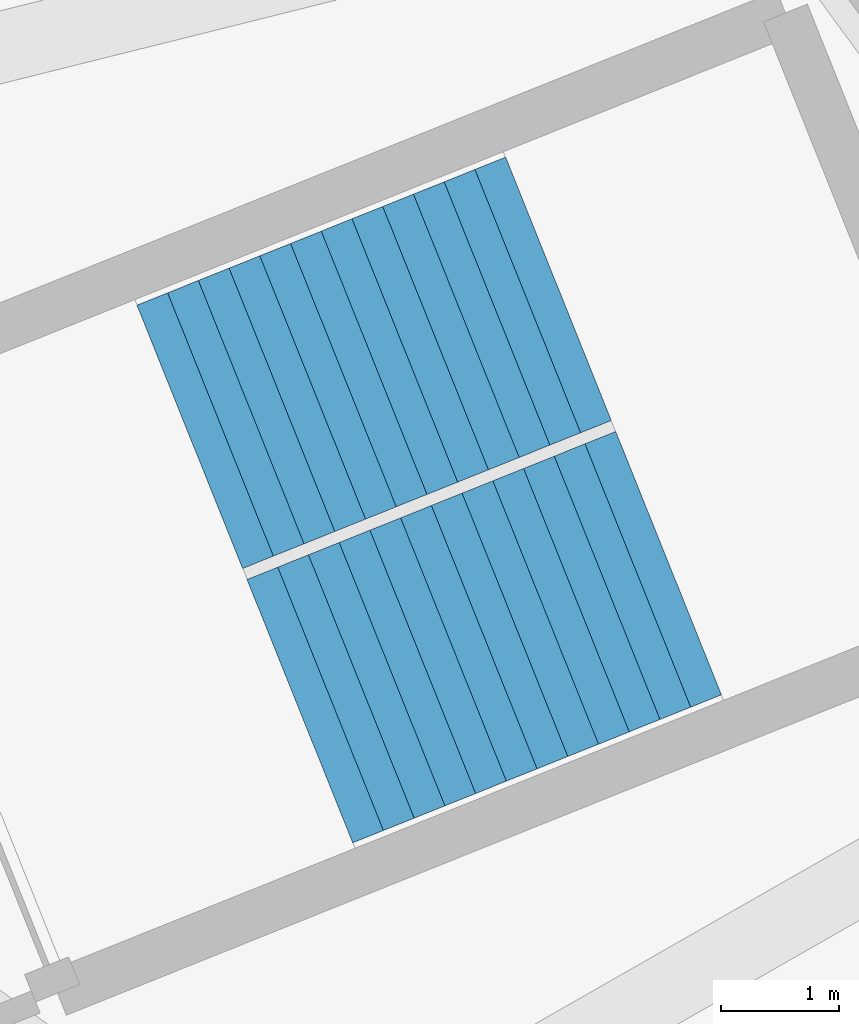
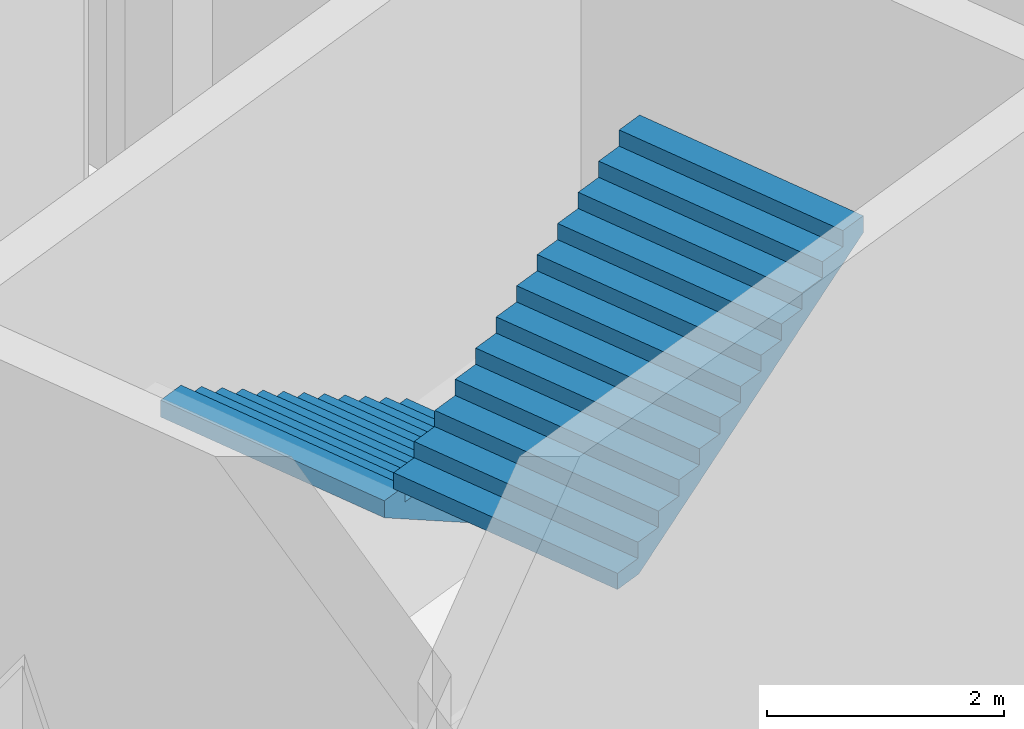
# One storey, part 25 of 47: 2 stair flights, 1 element without a shape of its own.
"""IFC4 building model written with IfcOpenShell, lengths in metres."""

from ifc_helpers import new_model, si_unit, direction, frame, origin, place, context, subcontext, project, spatial, triangles, material, type_object, element, aggregate, save


model = new_model("IFC4")

# Units and contexts
model_context = context("Model", 3, precision=1e-05, world=origin(), true_north=direction((0.0, 1.0)))
body_context = subcontext(model_context, "Body", "Model", "MODEL_VIEW")
ifc_project = project(units=[si_unit("LENGTHUNIT", "METRE"), si_unit("AREAUNIT", "SQUARE_METRE"), si_unit("VOLUMEUNIT", "CUBIC_METRE"), si_unit("PLANEANGLEUNIT", "RADIAN"), si_unit("MASSUNIT", "GRAM", prefix="KILO")], contexts=[model_context])

# Site, building, storey
site_placement = place(None, origin())
site = spatial("IfcSite", under=ifc_project, at=site_placement, CompositionType="ELEMENT")
building_placement = place(site_placement, origin())
building = spatial("IfcBuilding", under=site, at=building_placement, Name="Lantaw Convention Tower", CompositionType="ELEMENT")
storey_placement = place(building_placement, origin())
storey = spatial("IfcBuildingStorey", under=building, at=storey_placement, Name="L00", CompositionType="ELEMENT", Elevation=0.0)

# Stair, stair flights
ifc_material = material(Name="Concrete C35/45", Category="concrete")
stair_type = type_object("IfcStairType", Name="Exit stair 2400 riser 166.67 in 3 flights", PredefinedType="HALF_TURN_STAIR", material=ifc_material)
stair_placement = place(storey_placement, origin())
stair = element("IfcStair", 1, at=stair_placement, inside=storey, type_object=stair_type, Name="Podium exit stair P11 L00", PredefinedType="HALF_TURN_STAIR")
stair_flight_type = type_object("IfcStairFlightType", Name="Stair flight 2400 riser 166.67", PredefinedType="STRAIGHT", material=ifc_material)
stair_flight_1_placement = place(storey_placement, frame((-30.017578125, -10.703369140625, 2.166748046875), z_axis=(0.0, 0.0, 1.0), x_axis=(-0.928015168305, -0.372542410198, 0.0)))
stair_flight_1 = element("IfcStairFlight", 2, at=stair_flight_1_placement, type_object=stair_flight_type, Name="P11 flight 2", NumberOfRisers=13, NumberOfTreads=12, PredefinedType="STRAIGHT", RiserHeight=0.166666667, TreadLength=0.28, context=body_context, shape_type="Tessellation", body=[
    triangles([(0.0, 1.199951171875, 0.0), (0.0, 1.199951171875, 0.166666667), (0.28, 1.199951171875, 0.0), (0.28, 1.199951171875, 0.166666667), (0.28, 1.199951171875, 0.333333334), (0.29307345806906815, 1.199951171875, 0.0), (0.29307345806906815, 1.199951171875, 0.333333334), (0.56, 1.199951171875, 0.15888484670522912), (0.56, 1.199951171875, 0.333333334), (0.56, 1.199951171875, 0.500000001), (0.8400000000000001, 1.199951171875, 0.3255515137052291), (0.8400000000000001, 1.199951171875, 0.500000001), (0.8400000000000001, 1.199951171875, 0.666666668), (1.12, 1.199951171875, 0.49221818070522905), (1.12, 1.199951171875, 0.666666668), (1.12, 1.199951171875, 0.833333335), (1.4000000000000001, 1.199951171875, 0.658884847705229), (1.4000000000000001, 1.199951171875, 0.833333335), (1.4000000000000001, 1.199951171875, 1.000000002), (1.6800000000000002, 1.199951171875, 0.825551514705229), (1.6800000000000002, 1.199951171875, 1.000000002), (1.6800000000000002, 1.199951171875, 1.166666669), (1.9600000000000002, 1.199951171875, 0.992218181705229), (1.9600000000000002, 1.199951171875, 1.166666669), (1.9600000000000002, 1.199951171875, 1.333333336), (2.24, 1.199951171875, 1.158884848705229), (2.24, 1.199951171875, 1.333333336), (2.24, 1.199951171875, 1.5000000029999998), (2.5200000000000005, 1.199951171875, 1.325551515705229), (2.5200000000000005, 1.199951171875, 1.5000000029999998), (2.5200000000000005, 1.199951171875, 1.66666667), (2.8000000000000003, 1.199951171875, 1.492218182705229), (2.8000000000000003, 1.199951171875, 1.66666667), (2.8000000000000003, 1.199951171875, 1.833333337), (3.08, 1.199951171875, 1.6588848497052289), (3.08, 1.199951171875, 1.833333337), (3.08, 1.199951171875, 2.000000004), (3.3600000000000003, 1.199951171875, 1.825551516705229), (3.3600000000000003, 1.199951171875, 2.000000004), (0.0, -1.199951171875, 0.0), (0.0, -1.199951171875, 0.166666667), (0.28, -1.199951171875, 0.0), (0.28, -1.199951171875, 0.166666667), (0.28, -1.199951171875, 0.333333334), (0.29307345806906815, -1.199951171875, 0.0), (0.29307345806906815, -1.199951171875, 0.333333334), (0.56, -1.199951171875, 0.15888484670522912), (0.56, -1.199951171875, 0.333333334), (0.56, -1.199951171875, 0.500000001), (0.8400000000000001, -1.199951171875, 0.3255515137052291), (0.8400000000000001, -1.199951171875, 0.500000001), (0.8400000000000001, -1.199951171875, 0.666666668), (1.12, -1.199951171875, 0.49221818070522905), (1.12, -1.199951171875, 0.666666668), (1.12, -1.199951171875, 0.833333335), (1.4000000000000001, -1.199951171875, 0.658884847705229), (1.4000000000000001, -1.199951171875, 0.833333335), (1.4000000000000001, -1.199951171875, 1.000000002), (1.6800000000000002, -1.199951171875, 0.825551514705229), (1.6800000000000002, -1.199951171875, 1.000000002), (1.6800000000000002, -1.199951171875, 1.166666669), (1.9600000000000002, -1.199951171875, 0.992218181705229), (1.9600000000000002, -1.199951171875, 1.166666669), (1.9600000000000002, -1.199951171875, 1.333333336), (2.24, -1.199951171875, 1.158884848705229), (2.24, -1.199951171875, 1.333333336), (2.24, -1.199951171875, 1.5000000029999998), (2.5200000000000005, -1.199951171875, 1.325551515705229), (2.5200000000000005, -1.199951171875, 1.5000000029999998), (2.5200000000000005, -1.199951171875, 1.66666667), (2.8000000000000003, -1.199951171875, 1.492218182705229), (2.8000000000000003, -1.199951171875, 1.66666667), (2.8000000000000003, -1.199951171875, 1.833333337), (3.08, -1.199951171875, 1.6588848497052289), (3.08, -1.199951171875, 1.833333337), (3.08, -1.199951171875, 2.000000004), (3.3600000000000003, -1.199951171875, 1.825551516705229), (3.3600000000000003, -1.199951171875, 2.000000004), (0.0, 0.239990234375, 0.166666667), (0.0, 0.239990234375, 0.0), (0.0, 0.0, 0.166666667), (0.0, 0.0, 0.0), (0.0, -0.239990234375, 0.166666667), (0.0, -0.239990234375, 0.0), (0.28, 0.239990234375, 0.333333334), (0.28, 0.239990234375, 0.166666667), (0.28, 0.0, 0.333333334), (0.28, 0.0, 0.166666667), (0.28, -0.239990234375, 0.333333334), (0.28, -0.239990234375, 0.166666667), (0.56, 0.239990234375, 0.500000001), (0.56, 0.239990234375, 0.333333334), (0.56, 0.0, 0.500000001), (0.56, 0.0, 0.333333334), (0.56, -0.239990234375, 0.500000001), (0.56, -0.239990234375, 0.333333334), (0.8400000000000001, 0.239990234375, 0.666666668), (0.8400000000000001, 0.239990234375, 0.500000001), (0.8400000000000001, 0.0, 0.666666668), (0.8400000000000001, 0.0, 0.500000001), (0.8400000000000001, -0.239990234375, 0.666666668), (0.8400000000000001, -0.239990234375, 0.500000001), (1.12, 0.239990234375, 0.833333335), (1.12, 0.239990234375, 0.666666668), (1.12, 0.0, 0.833333335), (1.12, 0.0, 0.666666668), (1.12, -0.239990234375, 0.833333335), (1.12, -0.239990234375, 0.666666668), (1.4000000000000001, 0.239990234375, 1.000000002), (1.4000000000000001, 0.239990234375, 0.833333335), (1.4000000000000001, 0.0, 1.000000002), (1.4000000000000001, 0.0, 0.833333335), (1.4000000000000001, -0.239990234375, 1.000000002), (1.4000000000000001, -0.239990234375, 0.833333335), (1.6800000000000002, 0.239990234375, 1.166666669), (1.6800000000000002, 0.239990234375, 1.000000002), (1.6800000000000002, 0.0, 1.166666669), (1.6800000000000002, 0.0, 1.000000002), (1.6800000000000002, -0.239990234375, 1.166666669), (1.6800000000000002, -0.239990234375, 1.000000002), (1.9600000000000002, 0.239990234375, 1.333333336), (1.9600000000000002, 0.239990234375, 1.166666669), (1.9600000000000002, 0.0, 1.333333336), (1.9600000000000002, 0.0, 1.166666669), (1.9600000000000002, -0.239990234375, 1.333333336), (1.9600000000000002, -0.239990234375, 1.166666669), (2.24, 0.239990234375, 1.5000000029999998), (2.24, 0.239990234375, 1.333333336), (2.24, 0.0, 1.5000000029999998), (2.24, 0.0, 1.333333336), (2.24, -0.239990234375, 1.5000000029999998), (2.24, -0.239990234375, 1.333333336), (2.5200000000000005, 0.239990234375, 1.66666667), (2.5200000000000005, 0.239990234375, 1.5000000029999998), (2.5200000000000005, 0.0, 1.66666667), (2.5200000000000005, 0.0, 1.5000000029999998), (2.5200000000000005, -0.239990234375, 1.66666667), (2.5200000000000005, -0.239990234375, 1.5000000029999998), (2.8000000000000003, 0.239990234375, 1.833333337), (2.8000000000000003, 0.239990234375, 1.66666667), (2.8000000000000003, 0.0, 1.833333337), (2.8000000000000003, 0.0, 1.66666667), (2.8000000000000003, -0.239990234375, 1.833333337), (2.8000000000000003, -0.239990234375, 1.66666667), (3.08, 0.239990234375, 2.000000004), (3.08, 0.239990234375, 1.833333337), (3.08, 0.0, 2.000000004), (3.08, 0.0, 1.833333337), (3.08, -0.239990234375, 2.000000004), (3.08, -0.239990234375, 1.833333337), (0.29307345806906815, 0.239990234375, 0.333333334), (0.29307345806906815, 0.0, 0.333333334), (0.29307345806906815, -0.239990234375, 0.333333334), (3.3600000000000003, 0.239990234375, 2.000000004), (3.3600000000000003, 0.0, 2.000000004), (3.3600000000000003, -0.239990234375, 2.000000004), (3.3600000000000003, 0.239990234375, 1.8255515167052292), (3.3600000000000003, 0.0, 1.8255515167052292), (3.3600000000000003, -0.239990234375, 1.8255515167052292), (3.08, 0.239990234375, 1.6588848497052289), (3.08, 0.0, 1.6588848497052289), (3.08, -0.239990234375, 1.6588848497052289), (2.8000000000000003, 0.239990234375, 1.492218182705229), (2.8000000000000003, 0.0, 1.492218182705229), (2.8000000000000003, -0.239990234375, 1.492218182705229), (2.5200000000000005, 0.239990234375, 1.325551515705229), (2.5200000000000005, 0.0, 1.325551515705229), (2.5200000000000005, -0.239990234375, 1.325551515705229), (2.24, 0.239990234375, 1.158884848705229), (2.24, 0.0, 1.158884848705229), (2.24, -0.239990234375, 1.158884848705229), (1.9600000000000002, 0.239990234375, 0.992218181705229), (1.9600000000000002, 0.0, 0.992218181705229), (1.9600000000000002, -0.239990234375, 0.992218181705229), (1.6800000000000002, 0.239990234375, 0.825551514705229), (1.6800000000000002, 0.0, 0.825551514705229), (1.6800000000000002, -0.239990234375, 0.825551514705229), (1.4000000000000001, 0.239990234375, 0.658884847705229), (1.4000000000000001, 0.0, 0.658884847705229), (1.4000000000000001, -0.239990234375, 0.658884847705229), (1.12, 0.239990234375, 0.49221818070522905), (1.12, 0.0, 0.49221818070522905), (1.12, -0.239990234375, 0.49221818070522905), (0.8400000000000001, 0.239990234375, 0.3255515137052291), (0.8400000000000001, 0.0, 0.3255515137052291), (0.8400000000000001, -0.239990234375, 0.3255515137052291), (0.56, 0.239990234375, 0.15888484670522912), (0.56, 0.0, 0.15888484670522912), (0.56, -0.239990234375, 0.15888484670522912), (0.29307345806906815, 0.239990234375, 0.0), (0.29307345806906815, 0.0, 0.0), (0.29307345806906815, -0.239990234375, 0.0), (0.28, 0.239990234375, 0.0), (0.28, 0.0, 0.0), (0.28, -0.239990234375, 0.0)], [[1, 4, 3], [1, 2, 4], [3, 4, 6], [4, 7, 6], [4, 5, 7], [6, 9, 8], [6, 7, 9], [8, 9, 11], [9, 12, 11], [9, 10, 12], [11, 12, 14], [12, 15, 14], [12, 13, 15], [14, 15, 17], [15, 18, 17], [15, 16, 18], [17, 18, 20], [18, 21, 20], [18, 19, 21], [20, 21, 23], [21, 24, 23], [21, 22, 24], [23, 24, 26], [24, 27, 26], [24, 25, 27], [26, 27, 29], [27, 30, 29], [27, 28, 30], [29, 30, 32], [30, 33, 32], [30, 31, 33], [32, 33, 35], [33, 36, 35], [33, 34, 36], [35, 36, 38], [36, 39, 38], [36, 37, 39], [40, 42, 43], [40, 43, 41], [42, 45, 43], [43, 45, 46], [43, 46, 44], [45, 47, 48], [45, 48, 46], [47, 50, 48], [48, 50, 51], [48, 51, 49], [50, 53, 51], [51, 53, 54], [51, 54, 52], [53, 56, 54], [54, 56, 57], [54, 57, 55], [56, 59, 57], [57, 59, 60], [57, 60, 58], [59, 62, 60], [60, 62, 63], [60, 63, 61], [62, 65, 63], [63, 65, 66], [63, 66, 64], [65, 68, 66], [66, 68, 69], [66, 69, 67], [68, 71, 69], [69, 71, 72], [69, 72, 70], [71, 74, 72], [72, 74, 75], [72, 75, 73], [74, 77, 75], [75, 77, 78], [75, 78, 76], [1, 79, 2], [1, 80, 79], [80, 81, 79], [80, 82, 81], [82, 83, 81], [82, 84, 83], [84, 41, 83], [84, 40, 41], [4, 85, 5], [4, 86, 85], [86, 87, 85], [86, 88, 87], [88, 89, 87], [88, 90, 89], [90, 44, 89], [90, 43, 44], [9, 91, 10], [9, 92, 91], [92, 93, 91], [92, 94, 93], [94, 95, 93], [94, 96, 95], [96, 49, 95], [96, 48, 49], [12, 97, 13], [12, 98, 97], [98, 99, 97], [98, 100, 99], [100, 101, 99], [100, 102, 101], [102, 52, 101], [102, 51, 52], [15, 103, 16], [15, 104, 103], [104, 105, 103], [104, 106, 105], [106, 107, 105], [106, 108, 107], [108, 55, 107], [108, 54, 55], [18, 109, 19], [18, 110, 109], [110, 111, 109], [110, 112, 111], [112, 113, 111], [112, 114, 113], [114, 58, 113], [114, 57, 58], [21, 115, 22], [21, 116, 115], [116, 117, 115], [116, 118, 117], [118, 119, 117], [118, 120, 119], [120, 61, 119], [120, 60, 61], [24, 121, 25], [24, 122, 121], [122, 123, 121], [122, 124, 123], [124, 125, 123], [124, 126, 125], [126, 64, 125], [126, 63, 64], [27, 127, 28], [27, 128, 127], [128, 129, 127], [128, 130, 129], [130, 131, 129], [130, 132, 131], [132, 67, 131], [132, 66, 67], [30, 133, 31], [30, 134, 133], [134, 135, 133], [134, 136, 135], [136, 137, 135], [136, 138, 137], [138, 70, 137], [138, 69, 70], [33, 139, 34], [33, 140, 139], [140, 141, 139], [140, 142, 141], [142, 143, 141], [142, 144, 143], [144, 73, 143], [144, 72, 73], [36, 145, 37], [36, 146, 145], [146, 147, 145], [146, 148, 147], [148, 149, 147], [148, 150, 149], [150, 76, 149], [150, 75, 76], [2, 86, 4], [2, 79, 86], [79, 88, 86], [79, 81, 88], [81, 90, 88], [81, 83, 90], [83, 43, 90], [83, 41, 43], [5, 151, 7], [5, 85, 151], [85, 152, 151], [85, 87, 152], [87, 153, 152], [87, 89, 153], [89, 46, 153], [89, 44, 46], [7, 92, 9], [7, 151, 92], [151, 94, 92], [151, 152, 94], [152, 96, 94], [152, 153, 96], [153, 48, 96], [153, 46, 48], [10, 98, 12], [10, 91, 98], [91, 100, 98], [91, 93, 100], [93, 102, 100], [93, 95, 102], [95, 51, 102], [95, 49, 51], [13, 104, 15], [13, 97, 104], [97, 106, 104], [97, 99, 106], [99, 108, 106], [99, 101, 108], [101, 54, 108], [101, 52, 54], [16, 110, 18], [16, 103, 110], [103, 112, 110], [103, 105, 112], [105, 114, 112], [105, 107, 114], [107, 57, 114], [107, 55, 57], [19, 116, 21], [19, 109, 116], [109, 118, 116], [109, 111, 118], [111, 120, 118], [111, 113, 120], [113, 60, 120], [113, 58, 60], [22, 122, 24], [22, 115, 122], [115, 124, 122], [115, 117, 124], [117, 126, 124], [117, 119, 126], [119, 63, 126], [119, 61, 63], [25, 128, 27], [25, 121, 128], [121, 130, 128], [121, 123, 130], [123, 132, 130], [123, 125, 132], [125, 66, 132], [125, 64, 66], [28, 134, 30], [28, 127, 134], [127, 136, 134], [127, 129, 136], [129, 138, 136], [129, 131, 138], [131, 69, 138], [131, 67, 69], [31, 140, 33], [31, 133, 140], [133, 142, 140], [133, 135, 142], [135, 144, 142], [135, 137, 144], [137, 72, 144], [137, 70, 72], [34, 146, 36], [34, 139, 146], [139, 148, 146], [139, 141, 148], [141, 150, 148], [141, 143, 150], [143, 75, 150], [143, 73, 75], [37, 154, 39], [37, 145, 154], [145, 155, 154], [145, 147, 155], [147, 156, 155], [147, 149, 156], [149, 78, 156], [149, 76, 78], [39, 157, 38], [39, 154, 157], [154, 158, 157], [154, 155, 158], [155, 159, 158], [155, 156, 159], [156, 77, 159], [156, 78, 77], [38, 160, 35], [38, 157, 160], [157, 161, 160], [157, 158, 161], [158, 162, 161], [158, 159, 162], [159, 74, 162], [159, 77, 74], [35, 163, 32], [35, 160, 163], [160, 164, 163], [160, 161, 164], [161, 165, 164], [161, 162, 165], [162, 71, 165], [162, 74, 71], [32, 166, 29], [32, 163, 166], [163, 167, 166], [163, 164, 167], [164, 168, 167], [164, 165, 168], [165, 68, 168], [165, 71, 68], [29, 169, 26], [29, 166, 169], [166, 170, 169], [166, 167, 170], [167, 171, 170], [167, 168, 171], [168, 65, 171], [168, 68, 65], [26, 172, 23], [26, 169, 172], [169, 173, 172], [169, 170, 173], [170, 174, 173], [170, 171, 174], [171, 62, 174], [171, 65, 62], [23, 175, 20], [23, 172, 175], [172, 176, 175], [172, 173, 176], [173, 177, 176], [173, 174, 177], [174, 59, 177], [174, 62, 59], [20, 178, 17], [20, 175, 178], [175, 179, 178], [175, 176, 179], [176, 180, 179], [176, 177, 180], [177, 56, 180], [177, 59, 56], [17, 181, 14], [17, 178, 181], [178, 182, 181], [178, 179, 182], [179, 183, 182], [179, 180, 183], [180, 53, 183], [180, 56, 53], [14, 184, 11], [14, 181, 184], [181, 185, 184], [181, 182, 185], [182, 186, 185], [182, 183, 186], [183, 50, 186], [183, 53, 50], [11, 187, 8], [11, 184, 187], [184, 188, 187], [184, 185, 188], [185, 189, 188], [185, 186, 189], [186, 47, 189], [186, 50, 47], [8, 190, 6], [8, 187, 190], [187, 191, 190], [187, 188, 191], [188, 192, 191], [188, 189, 192], [189, 45, 192], [189, 47, 45], [6, 193, 3], [6, 190, 193], [190, 194, 193], [190, 191, 194], [191, 195, 194], [191, 192, 195], [192, 42, 195], [192, 45, 42], [3, 80, 1], [3, 193, 80], [193, 82, 80], [193, 194, 82], [194, 84, 82], [194, 195, 84], [195, 40, 84], [195, 42, 40]], closed=True),
])
stair_flight_2_placement = place(storey_placement, frame((-32.20458984375, -14.275146484375, 4.333251953125), z_axis=(0.0, 0.0, 1.0), x_axis=(0.928015168305, 0.372542410198, 0.0)))
stair_flight_2 = element("IfcStairFlight", 3, at=stair_flight_2_placement, type_object=stair_flight_type, Name="P11 flight 3", NumberOfRisers=13, NumberOfTreads=12, PredefinedType="STRAIGHT", RiserHeight=0.166666667, TreadLength=0.28, context=body_context, shape_type="Tessellation", body=[
    triangles([(0.0, 1.199951171875, 0.0), (0.0, 1.199951171875, 0.166666667), (0.28, 1.199951171875, 0.0), (0.28, 1.199951171875, 0.166666667), (0.28, 1.199951171875, 0.333333334), (0.29307345806906815, 1.199951171875, 0.0), (0.29307345806906815, 1.199951171875, 0.333333334), (0.56, 1.199951171875, 0.15888484670522912), (0.56, 1.199951171875, 0.333333334), (0.56, 1.199951171875, 0.500000001), (0.8400000000000001, 1.199951171875, 0.3255515137052291), (0.8400000000000001, 1.199951171875, 0.500000001), (0.8400000000000001, 1.199951171875, 0.666666668), (1.12, 1.199951171875, 0.49221818070522905), (1.12, 1.199951171875, 0.666666668), (1.12, 1.199951171875, 0.833333335), (1.4000000000000001, 1.199951171875, 0.658884847705229), (1.4000000000000001, 1.199951171875, 0.833333335), (1.4000000000000001, 1.199951171875, 1.000000002), (1.6800000000000002, 1.199951171875, 0.825551514705229), (1.6800000000000002, 1.199951171875, 1.000000002), (1.6800000000000002, 1.199951171875, 1.166666669), (1.9600000000000002, 1.199951171875, 0.992218181705229), (1.9600000000000002, 1.199951171875, 1.166666669), (1.9600000000000002, 1.199951171875, 1.333333336), (2.24, 1.199951171875, 1.158884848705229), (2.24, 1.199951171875, 1.333333336), (2.24, 1.199951171875, 1.5000000029999998), (2.5200000000000005, 1.199951171875, 1.325551515705229), (2.5200000000000005, 1.199951171875, 1.5000000029999998), (2.5200000000000005, 1.199951171875, 1.66666667), (2.8000000000000003, 1.199951171875, 1.492218182705229), (2.8000000000000003, 1.199951171875, 1.66666667), (2.8000000000000003, 1.199951171875, 1.833333337), (3.08, 1.199951171875, 1.6588848497052289), (3.08, 1.199951171875, 1.833333337), (3.08, 1.199951171875, 2.000000004), (3.3600000000000003, 1.199951171875, 1.825551516705229), (3.3600000000000003, 1.199951171875, 2.000000004), (0.0, -1.199951171875, 0.0), (0.0, -1.199951171875, 0.166666667), (0.28, -1.199951171875, 0.0), (0.28, -1.199951171875, 0.166666667), (0.28, -1.199951171875, 0.333333334), (0.29307345806906815, -1.199951171875, 0.0), (0.29307345806906815, -1.199951171875, 0.333333334), (0.56, -1.199951171875, 0.15888484670522912), (0.56, -1.199951171875, 0.333333334), (0.56, -1.199951171875, 0.500000001), (0.8400000000000001, -1.199951171875, 0.3255515137052291), (0.8400000000000001, -1.199951171875, 0.500000001), (0.8400000000000001, -1.199951171875, 0.666666668), (1.12, -1.199951171875, 0.49221818070522905), (1.12, -1.199951171875, 0.666666668), (1.12, -1.199951171875, 0.833333335), (1.4000000000000001, -1.199951171875, 0.658884847705229), (1.4000000000000001, -1.199951171875, 0.833333335), (1.4000000000000001, -1.199951171875, 1.000000002), (1.6800000000000002, -1.199951171875, 0.825551514705229), (1.6800000000000002, -1.199951171875, 1.000000002), (1.6800000000000002, -1.199951171875, 1.166666669), (1.9600000000000002, -1.199951171875, 0.992218181705229), (1.9600000000000002, -1.199951171875, 1.166666669), (1.9600000000000002, -1.199951171875, 1.333333336), (2.24, -1.199951171875, 1.158884848705229), (2.24, -1.199951171875, 1.333333336), (2.24, -1.199951171875, 1.5000000029999998), (2.5200000000000005, -1.199951171875, 1.325551515705229), (2.5200000000000005, -1.199951171875, 1.5000000029999998), (2.5200000000000005, -1.199951171875, 1.66666667), (2.8000000000000003, -1.199951171875, 1.492218182705229), (2.8000000000000003, -1.199951171875, 1.66666667), (2.8000000000000003, -1.199951171875, 1.833333337), (3.08, -1.199951171875, 1.6588848497052289), (3.08, -1.199951171875, 1.833333337), (3.08, -1.199951171875, 2.000000004), (3.3600000000000003, -1.199951171875, 1.825551516705229), (3.3600000000000003, -1.199951171875, 2.000000004), (0.0, 0.239990234375, 0.166666667), (0.0, 0.239990234375, 0.0), (0.0, 0.0, 0.166666667), (0.0, 0.0, 0.0), (0.0, -0.239990234375, 0.166666667), (0.0, -0.239990234375, 0.0), (0.28, 0.239990234375, 0.333333334), (0.28, 0.239990234375, 0.166666667), (0.28, 0.0, 0.333333334), (0.28, 0.0, 0.166666667), (0.28, -0.239990234375, 0.333333334), (0.28, -0.239990234375, 0.166666667), (0.56, 0.239990234375, 0.500000001), (0.56, 0.239990234375, 0.333333334), (0.56, 0.0, 0.500000001), (0.56, 0.0, 0.333333334), (0.56, -0.239990234375, 0.500000001), (0.56, -0.239990234375, 0.333333334), (0.8400000000000001, 0.239990234375, 0.666666668), (0.8400000000000001, 0.239990234375, 0.500000001), (0.8400000000000001, 0.0, 0.666666668), (0.8400000000000001, 0.0, 0.500000001), (0.8400000000000001, -0.239990234375, 0.666666668), (0.8400000000000001, -0.239990234375, 0.500000001), (1.12, 0.239990234375, 0.833333335), (1.12, 0.239990234375, 0.666666668), (1.12, 0.0, 0.833333335), (1.12, 0.0, 0.666666668), (1.12, -0.239990234375, 0.833333335), (1.12, -0.239990234375, 0.666666668), (1.4000000000000001, 0.239990234375, 1.000000002), (1.4000000000000001, 0.239990234375, 0.833333335), (1.4000000000000001, 0.0, 1.000000002), (1.4000000000000001, 0.0, 0.833333335), (1.4000000000000001, -0.239990234375, 1.000000002), (1.4000000000000001, -0.239990234375, 0.833333335), (1.6800000000000002, 0.239990234375, 1.166666669), (1.6800000000000002, 0.239990234375, 1.000000002), (1.6800000000000002, 0.0, 1.166666669), (1.6800000000000002, 0.0, 1.000000002), (1.6800000000000002, -0.239990234375, 1.166666669), (1.6800000000000002, -0.239990234375, 1.000000002), (1.9600000000000002, 0.239990234375, 1.333333336), (1.9600000000000002, 0.239990234375, 1.166666669), (1.9600000000000002, 0.0, 1.333333336), (1.9600000000000002, 0.0, 1.166666669), (1.9600000000000002, -0.239990234375, 1.333333336), (1.9600000000000002, -0.239990234375, 1.166666669), (2.24, 0.239990234375, 1.5000000029999998), (2.24, 0.239990234375, 1.333333336), (2.24, 0.0, 1.5000000029999998), (2.24, 0.0, 1.333333336), (2.24, -0.239990234375, 1.5000000029999998), (2.24, -0.239990234375, 1.333333336), (2.5200000000000005, 0.239990234375, 1.66666667), (2.5200000000000005, 0.239990234375, 1.5000000029999998), (2.5200000000000005, 0.0, 1.66666667), (2.5200000000000005, 0.0, 1.5000000029999998), (2.5200000000000005, -0.239990234375, 1.66666667), (2.5200000000000005, -0.239990234375, 1.5000000029999998), (2.8000000000000003, 0.239990234375, 1.833333337), (2.8000000000000003, 0.239990234375, 1.66666667), (2.8000000000000003, 0.0, 1.833333337), (2.8000000000000003, 0.0, 1.66666667), (2.8000000000000003, -0.239990234375, 1.833333337), (2.8000000000000003, -0.239990234375, 1.66666667), (3.08, 0.239990234375, 2.000000004), (3.08, 0.239990234375, 1.833333337), (3.08, 0.0, 2.000000004), (3.08, 0.0, 1.833333337), (3.08, -0.239990234375, 2.000000004), (3.08, -0.239990234375, 1.833333337), (0.29307345806906815, 0.239990234375, 0.333333334), (0.29307345806906815, 0.0, 0.333333334), (0.29307345806906815, -0.239990234375, 0.333333334), (3.3600000000000003, 0.239990234375, 2.000000004), (3.3600000000000003, 0.0, 2.000000004), (3.3600000000000003, -0.239990234375, 2.000000004), (3.3600000000000003, 0.239990234375, 1.8255515167052292), (3.3600000000000003, 0.0, 1.8255515167052292), (3.3600000000000003, -0.239990234375, 1.8255515167052292), (3.08, 0.239990234375, 1.6588848497052289), (3.08, 0.0, 1.6588848497052289), (3.08, -0.239990234375, 1.6588848497052289), (2.8000000000000003, 0.239990234375, 1.492218182705229), (2.8000000000000003, 0.0, 1.492218182705229), (2.8000000000000003, -0.239990234375, 1.492218182705229), (2.5200000000000005, 0.239990234375, 1.325551515705229), (2.5200000000000005, 0.0, 1.325551515705229), (2.5200000000000005, -0.239990234375, 1.325551515705229), (2.24, 0.239990234375, 1.158884848705229), (2.24, 0.0, 1.158884848705229), (2.24, -0.239990234375, 1.158884848705229), (1.9600000000000002, 0.239990234375, 0.992218181705229), (1.9600000000000002, 0.0, 0.992218181705229), (1.9600000000000002, -0.239990234375, 0.992218181705229), (1.6800000000000002, 0.239990234375, 0.825551514705229), (1.6800000000000002, 0.0, 0.825551514705229), (1.6800000000000002, -0.239990234375, 0.825551514705229), (1.4000000000000001, 0.239990234375, 0.658884847705229), (1.4000000000000001, 0.0, 0.658884847705229), (1.4000000000000001, -0.239990234375, 0.658884847705229), (1.12, 0.239990234375, 0.49221818070522905), (1.12, 0.0, 0.49221818070522905), (1.12, -0.239990234375, 0.49221818070522905), (0.8400000000000001, 0.239990234375, 0.3255515137052291), (0.8400000000000001, 0.0, 0.3255515137052291), (0.8400000000000001, -0.239990234375, 0.3255515137052291), (0.56, 0.239990234375, 0.15888484670522912), (0.56, 0.0, 0.15888484670522912), (0.56, -0.239990234375, 0.15888484670522912), (0.29307345806906815, 0.239990234375, 0.0), (0.29307345806906815, 0.0, 0.0), (0.29307345806906815, -0.239990234375, 0.0), (0.28, 0.239990234375, 0.0), (0.28, 0.0, 0.0), (0.28, -0.239990234375, 0.0)], [[1, 4, 3], [1, 2, 4], [3, 4, 6], [4, 7, 6], [4, 5, 7], [6, 9, 8], [6, 7, 9], [8, 9, 11], [9, 12, 11], [9, 10, 12], [11, 12, 14], [12, 15, 14], [12, 13, 15], [14, 15, 17], [15, 18, 17], [15, 16, 18], [17, 18, 20], [18, 21, 20], [18, 19, 21], [20, 21, 23], [21, 24, 23], [21, 22, 24], [23, 24, 26], [24, 27, 26], [24, 25, 27], [26, 27, 29], [27, 30, 29], [27, 28, 30], [29, 30, 32], [30, 33, 32], [30, 31, 33], [32, 33, 35], [33, 36, 35], [33, 34, 36], [35, 36, 38], [36, 39, 38], [36, 37, 39], [40, 42, 43], [40, 43, 41], [42, 45, 43], [43, 45, 46], [43, 46, 44], [45, 47, 48], [45, 48, 46], [47, 50, 48], [48, 50, 51], [48, 51, 49], [50, 53, 51], [51, 53, 54], [51, 54, 52], [53, 56, 54], [54, 56, 57], [54, 57, 55], [56, 59, 57], [57, 59, 60], [57, 60, 58], [59, 62, 60], [60, 62, 63], [60, 63, 61], [62, 65, 63], [63, 65, 66], [63, 66, 64], [65, 68, 66], [66, 68, 69], [66, 69, 67], [68, 71, 69], [69, 71, 72], [69, 72, 70], [71, 74, 72], [72, 74, 75], [72, 75, 73], [74, 77, 75], [75, 77, 78], [75, 78, 76], [1, 79, 2], [1, 80, 79], [80, 81, 79], [80, 82, 81], [82, 83, 81], [82, 84, 83], [84, 41, 83], [84, 40, 41], [4, 85, 5], [4, 86, 85], [86, 87, 85], [86, 88, 87], [88, 89, 87], [88, 90, 89], [90, 44, 89], [90, 43, 44], [9, 91, 10], [9, 92, 91], [92, 93, 91], [92, 94, 93], [94, 95, 93], [94, 96, 95], [96, 49, 95], [96, 48, 49], [12, 97, 13], [12, 98, 97], [98, 99, 97], [98, 100, 99], [100, 101, 99], [100, 102, 101], [102, 52, 101], [102, 51, 52], [15, 103, 16], [15, 104, 103], [104, 105, 103], [104, 106, 105], [106, 107, 105], [106, 108, 107], [108, 55, 107], [108, 54, 55], [18, 109, 19], [18, 110, 109], [110, 111, 109], [110, 112, 111], [112, 113, 111], [112, 114, 113], [114, 58, 113], [114, 57, 58], [21, 115, 22], [21, 116, 115], [116, 117, 115], [116, 118, 117], [118, 119, 117], [118, 120, 119], [120, 61, 119], [120, 60, 61], [24, 121, 25], [24, 122, 121], [122, 123, 121], [122, 124, 123], [124, 125, 123], [124, 126, 125], [126, 64, 125], [126, 63, 64], [27, 127, 28], [27, 128, 127], [128, 129, 127], [128, 130, 129], [130, 131, 129], [130, 132, 131], [132, 67, 131], [132, 66, 67], [30, 133, 31], [30, 134, 133], [134, 135, 133], [134, 136, 135], [136, 137, 135], [136, 138, 137], [138, 70, 137], [138, 69, 70], [33, 139, 34], [33, 140, 139], [140, 141, 139], [140, 142, 141], [142, 143, 141], [142, 144, 143], [144, 73, 143], [144, 72, 73], [36, 145, 37], [36, 146, 145], [146, 147, 145], [146, 148, 147], [148, 149, 147], [148, 150, 149], [150, 76, 149], [150, 75, 76], [2, 86, 4], [2, 79, 86], [79, 88, 86], [79, 81, 88], [81, 90, 88], [81, 83, 90], [83, 43, 90], [83, 41, 43], [5, 151, 7], [5, 85, 151], [85, 152, 151], [85, 87, 152], [87, 153, 152], [87, 89, 153], [89, 46, 153], [89, 44, 46], [7, 92, 9], [7, 151, 92], [151, 94, 92], [151, 152, 94], [152, 96, 94], [152, 153, 96], [153, 48, 96], [153, 46, 48], [10, 98, 12], [10, 91, 98], [91, 100, 98], [91, 93, 100], [93, 102, 100], [93, 95, 102], [95, 51, 102], [95, 49, 51], [13, 104, 15], [13, 97, 104], [97, 106, 104], [97, 99, 106], [99, 108, 106], [99, 101, 108], [101, 54, 108], [101, 52, 54], [16, 110, 18], [16, 103, 110], [103, 112, 110], [103, 105, 112], [105, 114, 112], [105, 107, 114], [107, 57, 114], [107, 55, 57], [19, 116, 21], [19, 109, 116], [109, 118, 116], [109, 111, 118], [111, 120, 118], [111, 113, 120], [113, 60, 120], [113, 58, 60], [22, 122, 24], [22, 115, 122], [115, 124, 122], [115, 117, 124], [117, 126, 124], [117, 119, 126], [119, 63, 126], [119, 61, 63], [25, 128, 27], [25, 121, 128], [121, 130, 128], [121, 123, 130], [123, 132, 130], [123, 125, 132], [125, 66, 132], [125, 64, 66], [28, 134, 30], [28, 127, 134], [127, 136, 134], [127, 129, 136], [129, 138, 136], [129, 131, 138], [131, 69, 138], [131, 67, 69], [31, 140, 33], [31, 133, 140], [133, 142, 140], [133, 135, 142], [135, 144, 142], [135, 137, 144], [137, 72, 144], [137, 70, 72], [34, 146, 36], [34, 139, 146], [139, 148, 146], [139, 141, 148], [141, 150, 148], [141, 143, 150], [143, 75, 150], [143, 73, 75], [37, 154, 39], [37, 145, 154], [145, 155, 154], [145, 147, 155], [147, 156, 155], [147, 149, 156], [149, 78, 156], [149, 76, 78], [39, 157, 38], [39, 154, 157], [154, 158, 157], [154, 155, 158], [155, 159, 158], [155, 156, 159], [156, 77, 159], [156, 78, 77], [38, 160, 35], [38, 157, 160], [157, 161, 160], [157, 158, 161], [158, 162, 161], [158, 159, 162], [159, 74, 162], [159, 77, 74], [35, 163, 32], [35, 160, 163], [160, 164, 163], [160, 161, 164], [161, 165, 164], [161, 162, 165], [162, 71, 165], [162, 74, 71], [32, 166, 29], [32, 163, 166], [163, 167, 166], [163, 164, 167], [164, 168, 167], [164, 165, 168], [165, 68, 168], [165, 71, 68], [29, 169, 26], [29, 166, 169], [166, 170, 169], [166, 167, 170], [167, 171, 170], [167, 168, 171], [168, 65, 171], [168, 68, 65], [26, 172, 23], [26, 169, 172], [169, 173, 172], [169, 170, 173], [170, 174, 173], [170, 171, 174], [171, 62, 174], [171, 65, 62], [23, 175, 20], [23, 172, 175], [172, 176, 175], [172, 173, 176], [173, 177, 176], [173, 174, 177], [174, 59, 177], [174, 62, 59], [20, 178, 17], [20, 175, 178], [175, 179, 178], [175, 176, 179], [176, 180, 179], [176, 177, 180], [177, 56, 180], [177, 59, 56], [17, 181, 14], [17, 178, 181], [178, 182, 181], [178, 179, 182], [179, 183, 182], [179, 180, 183], [180, 53, 183], [180, 56, 53], [14, 184, 11], [14, 181, 184], [181, 185, 184], [181, 182, 185], [182, 186, 185], [182, 183, 186], [183, 50, 186], [183, 53, 50], [11, 187, 8], [11, 184, 187], [184, 188, 187], [184, 185, 188], [185, 189, 188], [185, 186, 189], [186, 47, 189], [186, 50, 47], [8, 190, 6], [8, 187, 190], [187, 191, 190], [187, 188, 191], [188, 192, 191], [188, 189, 192], [189, 45, 192], [189, 47, 45], [6, 193, 3], [6, 190, 193], [190, 194, 193], [190, 191, 194], [191, 195, 194], [191, 192, 195], [192, 42, 195], [192, 45, 42], [3, 80, 1], [3, 193, 80], [193, 82, 80], [193, 194, 82], [194, 84, 82], [194, 195, 84], [195, 40, 84], [195, 42, 40]], closed=True),
])
aggregate(stair, [stair_flight_1, stair_flight_2])

save(model, "model.ifc")
